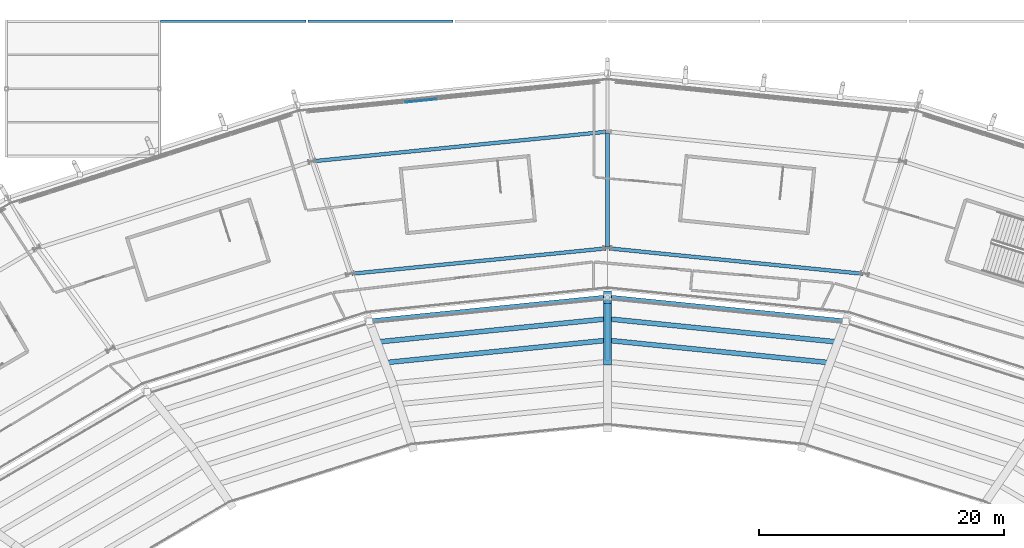
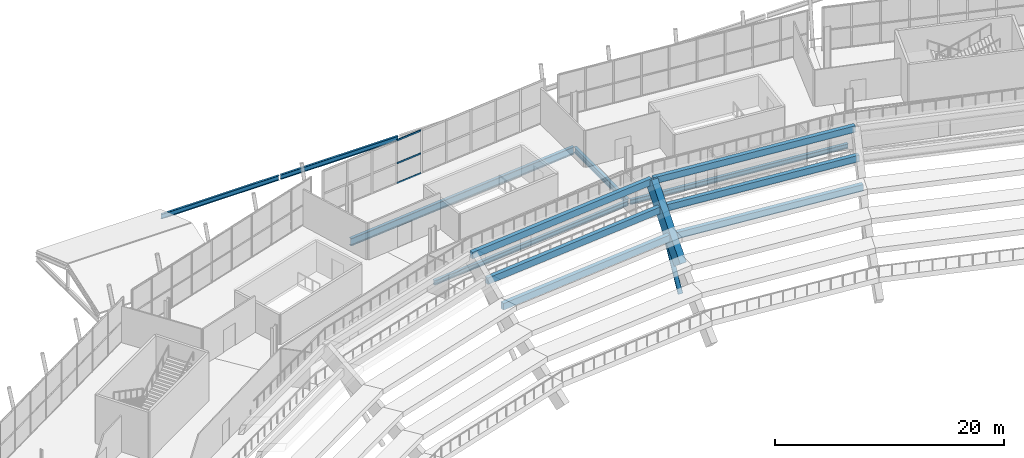
# One storey, part 53 of 126: 13 beams, 4 members, 1 element without a shape of its own.
"""IFC4 building model written with IfcOpenShell, lengths in metres."""

from ifc_helpers import new_model, si_unit, direction, frame, origin, origin_2d, place, context, subcontext, project, spatial, rectangle, hollow_circle, i_section, extrude, material, material_profile, profile_set, type_object, element, aggregate, save


model = new_model("IFC4")

# Units and contexts
model_context = context("Model", 3, precision=1e-05, world=origin(), true_north=direction((0.0, 1.0)))
body_context = subcontext(model_context, "Body", "Model", "MODEL_VIEW")
ifc_project = project(units=[si_unit("LENGTHUNIT", "METRE"), si_unit("AREAUNIT", "SQUARE_METRE"), si_unit("VOLUMEUNIT", "CUBIC_METRE"), si_unit("PLANEANGLEUNIT", "RADIAN"), si_unit("MASSUNIT", "GRAM", prefix="KILO")], contexts=[model_context])

# Site, building, storey
site_placement = place(None, origin())
site = spatial("IfcSite", under=ifc_project, at=site_placement, CompositionType="ELEMENT")
building_placement = place(site_placement, origin())
building = spatial("IfcBuilding", under=site, at=building_placement, Name="Zlatoyarsky Gate Stadium", CompositionType="ELEMENT")
storey_placement = place(building_placement, frame((0.0, 0.0, 20.800048828125)))
storey = spatial("IfcBuildingStorey", under=building, at=storey_placement, Name="L04", CompositionType="ELEMENT", Elevation=20.800048828125)

# Curtain wall, members
ifc_material_1 = material(Name="Thermally broken anodised aluminium curtain wall", Category="aluminium")
curtain_wall_type = type_object("IfcCurtainWallType", Name="MONUMENTAL ARCHED GATE GLAZING LOWER", PredefinedType="USERDEFINED", material=ifc_material_1)
curtain_wall_placement = place(storey_placement, origin())
curtain_wall = element("IfcCurtainWall", 1, at=curtain_wall_placement, inside=storey, type_object=curtain_wall_type, Name="Curtain wall CW-L04-06", ObjectType="ARCHED GATE GLAZING", PredefinedType="USERDEFINED")
ifc_material_2 = material(Name="Anodised aluminium 6063-T6", Category="aluminium")
ifc_material_profile_1 = material_profile(ifc_material_2, rectangle(XDim=0.074951171875, YDim=0.169921875, at=origin_2d()), Name="ALU 75X170")
ifc_profile_set_1 = profile_set([ifc_material_profile_1], Name="Anodised aluminium 6063-T6")
member_type_1 = type_object("IfcMemberType", Name="ALUMINIUM GATE TRANSOM 75X170", PredefinedType="USERDEFINED", material=ifc_profile_set_1)
member_1_placement = place(storey_placement, frame((97.0771484375, 153.652099609375, 0.037353515625), z_axis=(-0.994858042808, -0.101279191644, 0.0), x_axis=(0.101279191644, -0.994858042808, 0.0)))
member_1 = element("IfcMember", 2, at=member_1_placement, type_object=member_type_1, Name="CW-AG1 transom 6.1", ObjectType="TRANSOM", PredefinedType="USERDEFINED", context=body_context, shape_type="SweptSolid", body=[
    extrude(rectangle(XDim=0.074951171875, YDim=0.169921875, at=origin_2d()), origin(), (0.0, 0.0, 1.0), 2.58642578125),
])
member_2_placement = place(storey_placement, frame((97.0771484375, 153.652099609375, 2.14990234375), z_axis=(-0.994858042808, -0.101279191644, 0.0), x_axis=(0.101279191644, -0.994858042808, 0.0)))
member_2 = element("IfcMember", 3, at=member_2_placement, type_object=member_type_1, Name="CW-AG1 transom 6.2", ObjectType="TRANSOM", PredefinedType="USERDEFINED", context=body_context, shape_type="SweptSolid", body=[
    extrude(rectangle(XDim=0.074951171875, YDim=0.169921875, at=origin_2d()), origin(), (0.0, 0.0, 1.0), 2.58642578125),
])
member_3_placement = place(storey_placement, frame((97.0771484375, 153.652099609375, 4.58251953125), z_axis=(-0.994858042808, -0.101279191644, 0.0), x_axis=(0.101279191644, -0.994858042808, 0.0)))
member_3 = element("IfcMember", 4, at=member_3_placement, type_object=member_type_1, Name="CW-AG1 transom 6.3", ObjectType="TRANSOM", PredefinedType="USERDEFINED", context=body_context, shape_type="SweptSolid", body=[
    extrude(rectangle(XDim=0.074951171875, YDim=0.169921875, at=origin_2d()), origin(), (0.0, 0.0, 1.0), 2.58642578125),
])
aggregate(curtain_wall, [member_1, member_2, member_3])

# Beams
ifc_material_3 = material(Name="Concrete C40/50", Category="concrete")
ifc_material_profile_2 = material_profile(ifc_material_3, rectangle(XDim=0.39990234375, YDim=0.699951171875, at=origin_2d()), Name="RC BEAM 400X700")
ifc_profile_set_2 = profile_set([ifc_material_profile_2], Name="Concrete C40/50")
beam_type_1 = type_object("IfcBeamType", Name="CONCRETE FLOOR BEAM 400X700", PredefinedType="BEAM", material=ifc_profile_set_2)
beam_1_placement = place(storey_placement, frame((129.147216796875, 132.169921875, 0.389892578125), z_axis=(-0.994953285012, 0.100339227842, 0.0), x_axis=(-0.100339227842, -0.994953285012, 0.0)))
element("IfcBeam", 5, at=beam_1_placement, inside=storey, type_object=beam_type_1, Name="Upper bowl step tie beam 05.4", PredefinedType="BEAM", context=body_context, shape_type="SweptSolid", body=[
    extrude(rectangle(XDim=0.39990234375, YDim=0.699951171875, at=origin_2d()), origin(), (0.0, 0.0, 1.0), 18.13916015625),
])
beam_2_placement = place(storey_placement, frame((129.7294921875, 133.8603515625, 2.2900390625), z_axis=(-0.994948757941, 0.100384107661, 0.0), x_axis=(-0.100384107661, -0.994948757941, 0.0)))
element("IfcBeam", 6, at=beam_2_placement, inside=storey, type_object=beam_type_1, Name="Upper bowl step tie beam 05.5", PredefinedType="BEAM", context=body_context, shape_type="SweptSolid", body=[
    extrude(rectangle(XDim=0.39990234375, YDim=0.699951171875, at=origin_2d()), origin(), (0.0, 0.0, 1.0), 18.724365234375),
])
beam_3_placement = place(storey_placement, frame((130.31201171875, 135.55078125, 4.18994140625), z_axis=(-0.994944630986, 0.100425003227, 0.0), x_axis=(-0.100425003227, -0.994944630986, 0.0)))
element("IfcBeam", 7, at=beam_3_placement, inside=storey, type_object=beam_type_1, Name="Upper bowl step tie beam 05.6", PredefinedType="BEAM", context=body_context, shape_type="SweptSolid", body=[
    extrude(rectangle(XDim=0.39990234375, YDim=0.699951171875, at=origin_2d()), origin(), (0.0, 0.0, 1.0), 19.31005859375),
])
beam_4_placement = place(storey_placement, frame((110.900390625, 133.989990234375, 0.389892578125), z_axis=(-0.994953285012, -0.100339227842, 0.0), x_axis=(0.100339227842, -0.994953285012, 0.0)))
element("IfcBeam", 8, at=beam_4_placement, inside=storey, type_object=beam_type_1, Name="Upper bowl step tie beam 06.4", PredefinedType="BEAM", context=body_context, shape_type="SweptSolid", body=[
    extrude(rectangle(XDim=0.39990234375, YDim=0.699951171875, at=origin_2d()), origin(), (0.0, 0.0, 1.0), 18.13916015625),
])
beam_5_placement = place(storey_placement, frame((110.900390625, 135.739990234375, 2.2900390625), z_axis=(-0.994948757941, -0.100384107661, 0.0), x_axis=(0.100384107661, -0.994948757941, 0.0)))
element("IfcBeam", 9, at=beam_5_placement, inside=storey, type_object=beam_type_1, Name="Upper bowl step tie beam 06.5", PredefinedType="BEAM", context=body_context, shape_type="SweptSolid", body=[
    extrude(rectangle(XDim=0.39990234375, YDim=0.699951171875, at=origin_2d()), origin(), (0.0, 0.0, 1.0), 18.724365234375),
])
beam_6_placement = place(storey_placement, frame((110.900390625, 137.489990234375, 4.18994140625), z_axis=(-0.994944630986, -0.100425003227, 0.0), x_axis=(0.100425003227, -0.994944630986, 0.0)))
element("IfcBeam", 10, at=beam_6_placement, inside=storey, type_object=beam_type_1, Name="Upper bowl step tie beam 06.6", PredefinedType="BEAM", context=body_context, shape_type="SweptSolid", body=[
    extrude(rectangle(XDim=0.39990234375, YDim=0.699951171875, at=origin_2d()), origin(), (0.0, 0.0, 1.0), 19.31005859375),
])
ifc_material_4 = material(Name="Precast concrete C40/50", Category="concrete")
ifc_material_profile_3 = material_profile(ifc_material_4, rectangle(XDim=0.64990234375, YDim=1.35009765625, at=origin_2d()), Name="PC RAKER 650X1350")
ifc_profile_set_3 = profile_set([ifc_material_profile_3], Name="Precast concrete C40/50")
beam_type_2 = type_object("IfcBeamType", Name="PRECAST UPPER BOWL RAKER 650X1350", PredefinedType="USERDEFINED", material=ifc_profile_set_3)
beam_7_placement = place(storey_placement, frame((111.0, 132.5, -1.719970703125), z_axis=(0.0, 0.645889931043, 0.763430544959), x_axis=(-1.0, 0.0, 0.0)))
element("IfcBeam", 11, at=beam_7_placement, inside=storey, type_object=beam_type_2, Name="Upper bowl radial raker 06 outer", ObjectType="RAKER", PredefinedType="USERDEFINED", context=body_context, shape_type="SweptSolid", body=[
    extrude(rectangle(XDim=0.64990234375, YDim=1.35009765625, at=origin_2d()), origin(), (0.0, 0.0, 1.0), 7.7412109375),
])

# Member
ifc_material_5 = material(Name="Steel S355", Category="steel")
ifc_material_profile_4 = material_profile(ifc_material_5, hollow_circle(Radius=0.228515625, WallThickness=0.02490234375, at=origin_2d()), Name="CHS 457X25")
ifc_profile_set_4 = profile_set([ifc_material_profile_4], Name="Steel S355")
member_type_2 = type_object("IfcMemberType", Name="STEEL BACKSPAN TIE STRUT CHS 457X25", PredefinedType="STRUT", material=ifc_profile_set_4)
member_4_placement = place(storey_placement, frame((111.0, 132.5, -4.85009765625), z_axis=(0.0, 0.483996703285, 0.875069820763), x_axis=(-1.0, 0.0, 0.0)))
element("IfcMember", 12, at=member_4_placement, inside=storey, type_object=member_type_2, Name="Upper tier outer raker prop strut 06", PredefinedType="STRUT", context=body_context, shape_type="SweptSolid", body=[
    extrude(hollow_circle(Radius=0.228515625, WallThickness=0.02490234375, at=origin_2d()), origin(), (0.0, 0.0, 1.0), 10.33056640625),
])

# Beams
ifc_material_profile_5 = material_profile(ifc_material_5, i_section(OverallWidth=0.199951171875, OverallDepth=0.5, WebThickness=0.01025390625, FlangeThickness=0.01611328125, FilletRadius=0.02099609375, at=origin_2d()), Name="IPE 500")
ifc_profile_set_5 = profile_set([ifc_material_profile_5], Name="Steel S355")
beam_type_3 = type_object("IfcBeamType", Name="STEEL FLOOR BEAM IPE 500", PredefinedType="BEAM", material=ifc_profile_set_5)
for number, where, z_axis, x_axis, name in (
    (13, (74.580078125, 160.0, -0.550048828125), (1.0, 0.0, 0.0), (0.0, 1.0, 0.0), "Beam B-IPE500 BM-L04-WGX-7-Q"),
    (14, (86.580078125, 160.0, -0.550048828125), (1.0, 0.0, 0.0), (0.0, 1.0, 0.0), "Beam B-IPE500 BM-L04-WGX-8-Q"),
):
    element("IfcBeam", number, at=place(storey_placement, frame(where, z_axis=z_axis, x_axis=x_axis)), inside=storey, type_object=beam_type_3, Name=name, PredefinedType="BEAM", context=body_context, shape_type="SweptSolid", body=[
        extrude(i_section(OverallWidth=0.199951171875, OverallDepth=0.5, WebThickness=0.01025390625, FlangeThickness=0.01611328125, FilletRadius=0.02099609375, at=origin_2d()), origin(), (0.0, 0.0, 1.0), 11.83984375),
    ])
ifc_material_profile_6 = material_profile(ifc_material_5, i_section(OverallWidth=0.300048828125, OverallDepth=0.5, WebThickness=0.014404296875, FlangeThickness=0.028076171875, FilletRadius=0.027099609375, at=origin_2d()), Name="HEB 500")
ifc_profile_set_6 = profile_set([ifc_material_profile_6], Name="Steel S355")
beam_type_4 = type_object("IfcBeamType", Name="STEEL PRIMARY GIRDER HEB 500", PredefinedType="BEAM", material=ifc_profile_set_6)
for number, where, z_axis, x_axis, name in (
    (15, (131.844970703125, 139.416259765625, -0.550048828125), (-0.995040903182, 0.099466582298, 0.0), (-0.099466582298, -0.995040903182, 0.0), "Beam G-HEB500 BM-L04-CRB-05"),
    (16, (110.880615234375, 141.488037109375, -0.550048828125), (-0.995040903182, -0.099466582298, 0.0), (0.099466582298, -0.995040903182, 0.0), "Beam G-HEB500 BM-L04-CRB-06"),
):
    element("IfcBeam", number, at=place(storey_placement, frame(where, z_axis=z_axis, x_axis=x_axis)), inside=storey, type_object=beam_type_4, Name=name, PredefinedType="BEAM", context=body_context, shape_type="SweptSolid", body=[
        extrude(i_section(OverallWidth=0.300048828125, OverallDepth=0.5, WebThickness=0.014404296875, FlangeThickness=0.028076171875, FilletRadius=0.027099609375, at=origin_2d()), origin(), (0.0, 0.0, 1.0), 20.828857421875),
    ])
ifc_material_profile_7 = material_profile(ifc_material_5, i_section(OverallWidth=0.300048828125, OverallDepth=0.60009765625, WebThickness=0.015380859375, FlangeThickness=0.030029296875, FilletRadius=0.027099609375, at=origin_2d()), Name="HEB 600")
ifc_profile_set_7 = profile_set([ifc_material_profile_7], Name="Steel S355")
beam_type_5 = type_object("IfcBeamType", Name="STEEL PRIMARY GIRDER HEB 600", PredefinedType="BEAM", material=ifc_profile_set_7)
beam_8_placement = place(storey_placement, frame((111.0, 141.6201171875, -0.60009765625), z_axis=(0.0, 1.0, 0.0), x_axis=(-1.0, 0.0, 0.0)))
element("IfcBeam", 17, at=beam_8_placement, inside=storey, type_object=beam_type_5, Name="Beam G-HEB600 BM-L04-RBC-06", PredefinedType="BEAM", context=body_context, shape_type="SweptSolid", body=[
    extrude(i_section(OverallWidth=0.300048828125, OverallDepth=0.60009765625, WebThickness=0.015380859375, FlangeThickness=0.030029296875, FilletRadius=0.027099609375, at=origin_2d()), origin(), (0.0, 0.0, 1.0), 9.259765625),
])
ifc_material_profile_8 = material_profile(ifc_material_5, i_section(OverallWidth=0.300048828125, OverallDepth=0.800048828125, WebThickness=0.017578125, FlangeThickness=0.032958984375, FilletRadius=0.030029296875, at=origin_2d()), Name="HEB 800")
ifc_profile_set_8 = profile_set([ifc_material_profile_8], Name="Steel S355")
beam_type_6 = type_object("IfcBeamType", Name="STEEL PRIMARY GIRDER HEB 800", PredefinedType="BEAM", material=ifc_profile_set_8)
beam_9_placement = place(storey_placement, frame((110.880615234375, 150.988037109375, -0.699951171875), z_axis=(-0.994986905268, -0.100005291586, 0.0), x_axis=(0.100005291586, -0.994986905268, 0.0)))
element("IfcBeam", 18, at=beam_9_placement, inside=storey, type_object=beam_type_6, Name="Beam G-HEB800 BM-L04-CRC-06", PredefinedType="BEAM", context=body_context, shape_type="SweptSolid", body=[
    extrude(i_section(OverallWidth=0.300048828125, OverallDepth=0.800048828125, WebThickness=0.017578125, FlangeThickness=0.032958984375, FilletRadius=0.030029296875, at=origin_2d()), origin(), (0.0, 0.0, 1.0), 23.951416015625),
])

save(model, "model.ifc")
